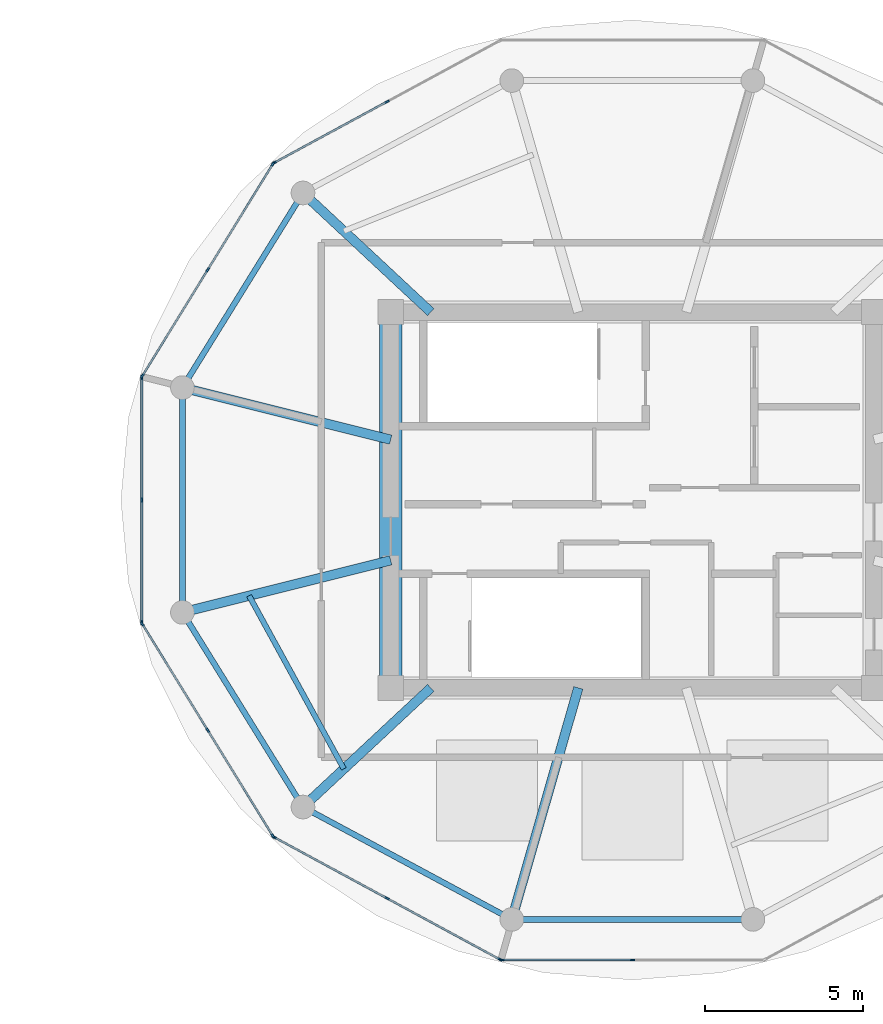
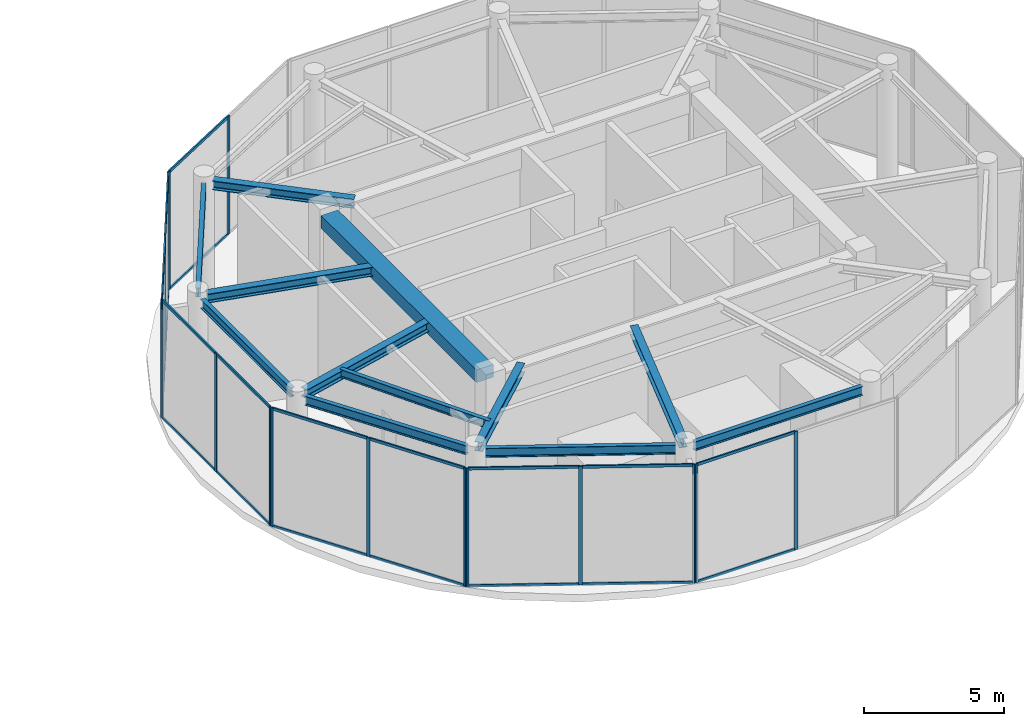
# One storey, part 6 of 15: 36 members, 12 beams, 6 elements without a shape of their own.
"""IFC4 building model written with IfcOpenShell, lengths in metres."""

from ifc_helpers import new_model, si_unit, direction, frame, origin, origin_2d, place, context, subcontext, project, spatial, rectangle, i_section, extrude, source, transform, mapped, material, layer, layer_set, material_profile, profile_set, type_object, type_shapes, element, aggregate, save


model = new_model("IFC4")

# Units and contexts
model_context = context("Model", 3, precision=1e-05, world=origin(), true_north=direction((0.0, 1.0)))
body_context = subcontext(model_context, "Body", "Model", "MODEL_VIEW")
ifc_project = project(units=[si_unit("LENGTHUNIT", "METRE"), si_unit("AREAUNIT", "SQUARE_METRE"), si_unit("VOLUMEUNIT", "CUBIC_METRE"), si_unit("PLANEANGLEUNIT", "RADIAN"), si_unit("MASSUNIT", "GRAM", prefix="KILO")], contexts=[model_context])

# Site, building, storey
site_placement = place(None, origin())
site = spatial("IfcSite", under=ifc_project, at=site_placement, CompositionType="ELEMENT")
building_placement = place(site_placement, origin())
building = spatial("IfcBuilding", under=site, at=building_placement, Name="Norrkilde Senior Care Towers", CompositionType="ELEMENT")
storey_placement = place(building_placement, frame((0.0, 0.0, 244.39990234375)))
storey = spatial("IfcBuildingStorey", under=building, at=storey_placement, Name="L76", CompositionType="ELEMENT", Elevation=244.39990234375)

# Beams
ifc_material_1 = material(Name="Concrete C60/75", Category="concrete")
ifc_material_profile_1 = material_profile(ifc_material_1, rectangle(XDim=0.699951171875, YDim=0.550048828125, at=origin_2d()), Name="RC BM 700x550")
ifc_profile_set_1 = profile_set([ifc_material_profile_1], Name="Concrete C60/75")
beam_type_1 = type_object("IfcBeamType", Name="Core Portal Coupling Beam 700x550", PredefinedType="USERDEFINED", material=ifc_profile_set_1)
shared_shape_1 = source(origin(), body_context, "Body", "SweptSolid", [
    extrude(rectangle(XDim=0.699951171875, YDim=0.550048828125, at=origin_2d()), origin(), (0.0, 0.0, 1.0), 11.14013671875),
])
type_shapes(beam_type_1, [shared_shape_1])
beam_1_placement = place(storey_placement, frame((20.35009765625, -5.570068359375, 4.900146484375), z_axis=(0.0, 1.0, 0.0), x_axis=(-1.0, 0.0, 0.0)))
element("IfcBeam", 1, at=beam_1_placement, inside=storey, type_object=beam_type_1, Name="L76 Core E W Coupling Girder", ObjectType="GIRDER", PredefinedType="USERDEFINED", context=body_context, shape_type="MappedRepresentation", body=[
    mapped(shared_shape_1, transform((0.0, 0.0, 0.0), x_axis=(1.0, 0.0, 0.0), y_axis=(0.0, 1.0, 0.0), z_axis=(0.0, 0.0, 1.0), scale=1.0)),
])
ifc_material_2 = material(Name="Steel S355", Category="steel")
ifc_material_profile_2 = material_profile(ifc_material_2, i_section(OverallWidth=0.179931640625, OverallDepth=0.39990234375, WebThickness=0.008544921875, FlangeThickness=0.013427734375, FilletRadius=0.02099609375, at=origin_2d()), Name="IPE 400")
ifc_profile_set_2 = profile_set([ifc_material_profile_2], Name="Steel S355")
beam_type_2 = type_object("IfcBeamType", Name="Perimeter Ring Spandrel Z4 IPE400", PredefinedType="SPANDREL", material=ifc_profile_set_2)
shared_shape_2 = source(origin(), body_context, "Body", "SweptSolid", [
    extrude(i_section(OverallWidth=0.179931640625, OverallDepth=0.39990234375, WebThickness=0.008544921875, FlangeThickness=0.013427734375, FilletRadius=0.02099609375, at=origin_2d()), origin(), (0.0, 0.0, 1.0), 6.58056640625),
])
for number, where, z_axis, x_axis, name in (
    (2, (17.393798828125, 9.43798828125, 4.97509765625), (-0.526529583789, -0.850156807533, 0.0), (0.850156807533, -0.526529583789, 0.0), "L76 Drum E Perimeter Spandrel 05"),
    (3, (13.928955078125, -3.843505859375, 4.97509765625), (0.526529583789, -0.850156807533, 0.0), (0.850156807533, 0.526529583789, 0.0), "L76 Drum E Perimeter Spandrel 07"),
):
    element("IfcBeam", number, at=place(storey_placement, frame(where, z_axis=z_axis, x_axis=x_axis)), inside=storey, type_object=beam_type_2, Name=name, PredefinedType="SPANDREL", context=body_context, shape_type="MappedRepresentation", body=[
        mapped(shared_shape_2, transform((0.0, 0.0, 0.0), x_axis=(1.0, 0.0, 0.0), y_axis=(0.0, 1.0, 0.0), z_axis=(0.0, 0.0, 1.0), scale=1.0)),
    ])
ifc_material_profile_3 = material_profile(ifc_material_2, i_section(OverallWidth=0.300048828125, OverallDepth=0.39990234375, WebThickness=0.013427734375, FlangeThickness=0.02392578125, FilletRadius=0.027099609375, at=origin_2d()), Name="HEB 400")
ifc_profile_set_3 = profile_set([ifc_material_profile_3], Name="Steel S355")
beam_type_3 = type_object("IfcBeamType", Name="Radial Floor Beam Z4 HEB400", PredefinedType="BEAM", material=ifc_profile_set_3)
shared_shape_3 = source(origin(), body_context, "Body", "SweptSolid", [
    extrude(i_section(OverallWidth=0.300048828125, OverallDepth=0.39990234375, WebThickness=0.013427734375, FlangeThickness=0.02392578125, FilletRadius=0.027099609375, at=origin_2d()), origin(), (0.0, 0.0, 1.0), 6.465087890625),
])
for number, where, z_axis, x_axis, name in (
    (4, (20.35009765625, 1.910888671875, 4.97509765625), (-0.970195788563, 0.242322371758, 0.0), (-0.242322371758, -0.970195788563, 0.0), "L76 Drum E Radial Floor Beam 06"),
    (5, (20.35009765625, -1.910888671875, 4.97509765625), (-0.970195788563, -0.242322371758, 0.0), (0.242322371758, -0.970195788563, 0.0), "L76 Drum E Radial Floor Beam 07"),
):
    element("IfcBeam", number, at=place(storey_placement, frame(where, z_axis=z_axis, x_axis=x_axis)), inside=storey, type_object=beam_type_3, Name=name, PredefinedType="BEAM", context=body_context, shape_type="MappedRepresentation", body=[
        mapped(shared_shape_3, transform((0.0, 0.0, 0.0), x_axis=(1.0, 0.0, 0.0), y_axis=(0.0, 1.0, 0.0), z_axis=(0.0, 0.0, 1.0), scale=1.0)),
    ])
shared_shape_4 = source(origin(), body_context, "Body", "SweptSolid", [
    extrude(i_section(OverallWidth=0.179931640625, OverallDepth=0.39990234375, WebThickness=0.008544921875, FlangeThickness=0.013427734375, FilletRadius=0.02099609375, at=origin_2d()), origin(), (0.0, 0.0, 1.0), 6.839111328125),
])
beam_2_placement = place(storey_placement, frame((17.865234375, -9.881591796875, 4.97509765625), z_axis=(0.880563930732, -0.473927382511, 0.0), x_axis=(0.473927382511, 0.880563930732, 0.0)))
element("IfcBeam", 6, at=beam_2_placement, inside=storey, type_object=beam_type_2, Name="L76 Drum E Perimeter Spandrel 08", PredefinedType="SPANDREL", context=body_context, shape_type="MappedRepresentation", body=[
    mapped(shared_shape_4, transform((0.0, 0.0, 0.0), x_axis=(1.0, 0.0, 0.0), y_axis=(0.0, 1.0, 0.0), z_axis=(0.0, 0.0, 1.0), scale=1.0)),
])
shared_shape_5 = source(origin(), body_context, "Body", "SweptSolid", [
    extrude(i_section(OverallWidth=0.300048828125, OverallDepth=0.39990234375, WebThickness=0.013427734375, FlangeThickness=0.02392578125, FilletRadius=0.027099609375, at=origin_2d()), origin(), (0.0, 0.0, 1.0), 5.197998046875),
])
for number, where, z_axis, x_axis, name in (
    (7, (21.6171875, 5.949951171875, 4.97509765625), (-0.731448749334, 0.681896419625, 0.0), (-0.681896419625, -0.731448749334, 0.0), "L76 Drum E Radial Floor Beam 05"),
    (8, (21.6171875, -5.949951171875, 4.97509765625), (-0.731448749334, -0.681896419625, 0.0), (0.681896419625, -0.731448749334, 0.0), "L76 Drum E Radial Floor Beam 08"),
):
    element("IfcBeam", number, at=place(storey_placement, frame(where, z_axis=z_axis, x_axis=x_axis)), inside=storey, type_object=beam_type_3, Name=name, PredefinedType="BEAM", context=body_context, shape_type="MappedRepresentation", body=[
        mapped(shared_shape_5, transform((0.0, 0.0, 0.0), x_axis=(1.0, 0.0, 0.0), y_axis=(0.0, 1.0, 0.0), z_axis=(0.0, 0.0, 1.0), scale=1.0)),
    ])
shared_shape_6 = source(origin(), body_context, "Body", "SweptSolid", [
    extrude(i_section(OverallWidth=0.179931640625, OverallDepth=0.39990234375, WebThickness=0.008544921875, FlangeThickness=0.013427734375, FilletRadius=0.02099609375, at=origin_2d()), origin(), (0.0, 0.0, 1.0), 6.96533203125),
])
beam_3_placement = place(storey_placement, frame((24.517333984375, -13.281494140625, 4.97509765625), z_axis=(1.0, 0.0, 0.0), x_axis=(0.0, 1.0, 0.0)))
element("IfcBeam", 9, at=beam_3_placement, inside=storey, type_object=beam_type_2, Name="L76 Drum E Perimeter Spandrel 09", PredefinedType="SPANDREL", context=body_context, shape_type="MappedRepresentation", body=[
    mapped(shared_shape_6, transform((0.0, 0.0, 0.0), x_axis=(1.0, 0.0, 0.0), y_axis=(0.0, 1.0, 0.0), z_axis=(0.0, 0.0, 1.0), scale=1.0)),
])
shared_shape_7 = source(origin(), body_context, "Body", "SweptSolid", [
    extrude(i_section(OverallWidth=0.300048828125, OverallDepth=0.39990234375, WebThickness=0.013427734375, FlangeThickness=0.02392578125, FilletRadius=0.027099609375, at=origin_2d()), origin(), (0.0, 0.0, 1.0), 7.29345703125),
])
type_shapes(beam_type_3, [shared_shape_3, shared_shape_5, shared_shape_7])
beam_4_placement = place(storey_placement, frame((26.289794921875, -5.949951171875, 4.97509765625), z_axis=(-0.276263751906, -0.961081858836, 0.0), x_axis=(0.961081858836, -0.276263751906, 0.0)))
element("IfcBeam", 10, at=beam_4_placement, inside=storey, type_object=beam_type_3, Name="L76 Drum E Radial Floor Beam 09", PredefinedType="BEAM", context=body_context, shape_type="MappedRepresentation", body=[
    mapped(shared_shape_7, transform((0.0, 0.0, 0.0), x_axis=(1.0, 0.0, 0.0), y_axis=(0.0, 1.0, 0.0), z_axis=(0.0, 0.0, 1.0), scale=1.0)),
])
shared_shape_8 = source(origin(), body_context, "Body", "SweptSolid", [
    extrude(i_section(OverallWidth=0.179931640625, OverallDepth=0.39990234375, WebThickness=0.008544921875, FlangeThickness=0.013427734375, FilletRadius=0.02099609375, at=origin_2d()), origin(), (0.0, 0.0, 1.0), 6.44775390625),
])
type_shapes(beam_type_2, [shared_shape_2, shared_shape_4, shared_shape_6, shared_shape_8])
beam_5_placement = place(storey_placement, frame((13.752685546875, 3.223876953125, 4.97509765625), z_axis=(0.0, -1.0, 0.0), x_axis=(1.0, 0.0, 0.0)))
element("IfcBeam", 11, at=beam_5_placement, inside=storey, type_object=beam_type_2, Name="L76 Drum E Perimeter Spandrel 06", PredefinedType="SPANDREL", context=body_context, shape_type="MappedRepresentation", body=[
    mapped(shared_shape_8, transform((0.0, 0.0, 0.0), x_axis=(1.0, 0.0, 0.0), y_axis=(0.0, 1.0, 0.0), z_axis=(0.0, 0.0, 1.0), scale=1.0)),
])
ifc_material_profile_4 = material_profile(ifc_material_2, i_section(OverallWidth=0.169921875, OverallDepth=0.360107421875, WebThickness=0.008056640625, FlangeThickness=0.0126953125, FilletRadius=0.01806640625, at=origin_2d()), Name="IPE 360")
ifc_profile_set_4 = profile_set([ifc_material_profile_4], Name="Steel S355")
beam_type_4 = type_object("IfcBeamType", Name="Secondary Floor Joist IPE360", PredefinedType="JOIST", material=ifc_profile_set_4)
shared_shape_9 = source(origin(), body_context, "Body", "SweptSolid", [
    extrude(i_section(OverallWidth=0.169921875, OverallDepth=0.360107421875, WebThickness=0.008056640625, FlangeThickness=0.0126953125, FilletRadius=0.01806640625, at=origin_2d()), origin(), (0.0, 0.0, 1.0), 6.25146484375),
])
type_shapes(beam_type_4, [shared_shape_9])
beam_6_placement = place(storey_placement, frame((15.86376953125, -3.031494140625, 4.9951171875), z_axis=(0.480115752653, -0.877205143655, 0.0), x_axis=(0.877205143655, 0.480115752653, 0.0)))
element("IfcBeam", 12, at=beam_6_placement, inside=storey, type_object=beam_type_4, Name="L76 Drum E Secondary Floor Joist 3", PredefinedType="JOIST", context=body_context, shape_type="MappedRepresentation", body=[
    mapped(shared_shape_9, transform((0.0, 0.0, 0.0), x_axis=(1.0, 0.0, 0.0), y_axis=(0.0, 1.0, 0.0), z_axis=(0.0, 0.0, 1.0), scale=1.0)),
])

# Curtain wall, members
ifc_material_3 = material(Name="Triple Low-E Insulated Glazing", Category="glass")
ifc_layer = layer(ifc_material_3, 0.205078125)
ifc_layer_set = layer_set([ifc_layer], Name="Triple Low-E Insulated Glazing")
curtain_wall_type = type_object("IfcCurtainWallType", Name="CW7 L76 Damper Lantern Clear Curtain Wall", PredefinedType="NOTDEFINED", material=ifc_layer_set)
curtain_wall_1_placement = place(storey_placement, origin())
curtain_wall_1 = element("IfcCurtainWall", 13, at=curtain_wall_1_placement, inside=storey, type_object=curtain_wall_type, Name="L76 Drum E Curtain Wall 03", PredefinedType="NOTDEFINED")
ifc_material_4 = material(Name="Anodised Aluminium", Category="aluminium")
ifc_material_profile_5 = material_profile(ifc_material_4, rectangle(XDim=0.06005859375, YDim=0.139892578125, at=origin_2d()), Name="ALU MULL 60x140")
ifc_profile_set_5 = profile_set([ifc_material_profile_5], Name="Anodised Aluminium")
member_type_1 = type_object("IfcMemberType", Name="Curtain Wall Mullion Lantern 60x140", PredefinedType="MULLION", material=ifc_profile_set_5)
shared_shape_10 = source(origin(), body_context, "Body", "SweptSolid", [
    extrude(rectangle(XDim=0.06005859375, YDim=0.139892578125, at=origin_2d()), origin(), (0.0, 0.0, 1.0), 5.175048828125),
])
type_shapes(member_type_1, [shared_shape_10])
member_1_placement = place(storey_placement, frame((16.656005859375, 10.677490234375, 0.0), z_axis=(0.0, 0.0, 1.0), x_axis=(-0.476132676136, 0.879373455772, 0.0)))
member_1 = element("IfcMember", 14, at=member_1_placement, type_object=member_type_1, Name="CW-7 mullion 1", PredefinedType="MULLION", context=body_context, shape_type="MappedRepresentation", body=[
    mapped(shared_shape_10, transform((0.0, 0.0, 0.0), x_axis=(1.0, 0.0, 0.0), y_axis=(0.0, 1.0, 0.0), z_axis=(0.0, 0.0, 1.0), scale=1.0)),
])
member_2_placement = place(storey_placement, frame((20.23388671875, 12.61474609375, 0.0), z_axis=(0.0, 0.0, 1.0), x_axis=(-0.476132676136, 0.879373455772, 0.0)))
member_2 = element("IfcMember", 15, at=member_2_placement, type_object=member_type_1, Name="CW-7 mullion 2", PredefinedType="MULLION", context=body_context, shape_type="MappedRepresentation", body=[
    mapped(shared_shape_10, transform((0.0, 0.0, 0.0), x_axis=(1.0, 0.0, 0.0), y_axis=(0.0, 1.0, 0.0), z_axis=(0.0, 0.0, 1.0), scale=1.0)),
])

curtain_wall_2_placement = place(storey_placement, origin())
curtain_wall_2 = element("IfcCurtainWall", 16, at=curtain_wall_2_placement, inside=storey, type_object=curtain_wall_type, Name="L76 Drum E Curtain Wall 04", PredefinedType="NOTDEFINED")
member_3_placement = place(storey_placement, frame((12.483642578125, 3.928466796875, 0.0), z_axis=(0.0, 0.0, 1.0), x_axis=(-0.851562727283, 0.524252726748, 0.0)))
member_3 = element("IfcMember", 17, at=member_3_placement, type_object=member_type_1, Name="CW-7 mullion 1", PredefinedType="MULLION", context=body_context, shape_type="MappedRepresentation", body=[
    mapped(shared_shape_10, transform((0.0, 0.0, 0.0), x_axis=(1.0, 0.0, 0.0), y_axis=(0.0, 1.0, 0.0), z_axis=(0.0, 0.0, 1.0), scale=1.0)),
])
member_4_placement = place(storey_placement, frame((14.548828125, 7.282958984375, 0.0), z_axis=(0.0, 0.0, 1.0), x_axis=(-0.851562727283, 0.524252726748, 0.0)))
member_4 = element("IfcMember", 18, at=member_4_placement, type_object=member_type_1, Name="CW-7 mullion 2", PredefinedType="MULLION", context=body_context, shape_type="MappedRepresentation", body=[
    mapped(shared_shape_10, transform((0.0, 0.0, 0.0), x_axis=(1.0, 0.0, 0.0), y_axis=(0.0, 1.0, 0.0), z_axis=(0.0, 0.0, 1.0), scale=1.0)),
])
member_5_placement = place(storey_placement, frame((16.614013671875, 10.6376953125, 0.0), z_axis=(0.0, 0.0, 1.0), x_axis=(-0.851562727283, 0.524252726748, 0.0)))
member_5 = element("IfcMember", 19, at=member_5_placement, type_object=member_type_1, Name="CW-7 mullion 3", PredefinedType="MULLION", context=body_context, shape_type="MappedRepresentation", body=[
    mapped(shared_shape_10, transform((0.0, 0.0, 0.0), x_axis=(1.0, 0.0, 0.0), y_axis=(0.0, 1.0, 0.0), z_axis=(0.0, 0.0, 1.0), scale=1.0)),
])

curtain_wall_3_placement = place(storey_placement, origin())
curtain_wall_3 = element("IfcCurtainWall", 20, at=curtain_wall_3_placement, inside=storey, type_object=curtain_wall_type, Name="L76 Drum E Curtain Wall 05", PredefinedType="NOTDEFINED")
member_6_placement = place(storey_placement, frame((12.468017578125, -3.873046875, 0.0), z_axis=(0.0, 0.0, 1.0), x_axis=(-1.0, 0.0, 0.0)))
member_6 = element("IfcMember", 21, at=member_6_placement, type_object=member_type_1, Name="CW-7 mullion 1", PredefinedType="MULLION", context=body_context, shape_type="MappedRepresentation", body=[
    mapped(shared_shape_10, transform((0.0, 0.0, 0.0), x_axis=(1.0, 0.0, 0.0), y_axis=(0.0, 1.0, 0.0), z_axis=(0.0, 0.0, 1.0), scale=1.0)),
])
member_7_placement = place(storey_placement, frame((12.468017578125, 0.0, 0.0), z_axis=(0.0, 0.0, 1.0), x_axis=(-1.0, 0.0, 0.0)))
member_7 = element("IfcMember", 22, at=member_7_placement, type_object=member_type_1, Name="CW-7 mullion 2", PredefinedType="MULLION", context=body_context, shape_type="MappedRepresentation", body=[
    mapped(shared_shape_10, transform((0.0, 0.0, 0.0), x_axis=(1.0, 0.0, 0.0), y_axis=(0.0, 1.0, 0.0), z_axis=(0.0, 0.0, 1.0), scale=1.0)),
])
member_8_placement = place(storey_placement, frame((12.468017578125, 3.873046875, 0.0), z_axis=(0.0, 0.0, 1.0), x_axis=(-1.0, 0.0, 0.0)))
member_8 = element("IfcMember", 23, at=member_8_placement, type_object=member_type_1, Name="CW-7 mullion 3", PredefinedType="MULLION", context=body_context, shape_type="MappedRepresentation", body=[
    mapped(shared_shape_10, transform((0.0, 0.0, 0.0), x_axis=(1.0, 0.0, 0.0), y_axis=(0.0, 1.0, 0.0), z_axis=(0.0, 0.0, 1.0), scale=1.0)),
])

curtain_wall_4_placement = place(storey_placement, origin())
curtain_wall_4 = element("IfcCurtainWall", 24, at=curtain_wall_4_placement, inside=storey, type_object=curtain_wall_type, Name="L76 Drum E Curtain Wall 06", PredefinedType="NOTDEFINED")
member_9_placement = place(storey_placement, frame((16.614013671875, -10.6376953125, 0.0), z_axis=(0.0, 0.0, 1.0), x_axis=(-0.851562727283, -0.524252726748, 0.0)))
member_9 = element("IfcMember", 25, at=member_9_placement, type_object=member_type_1, Name="CW-7 mullion 1", PredefinedType="MULLION", context=body_context, shape_type="MappedRepresentation", body=[
    mapped(shared_shape_10, transform((0.0, 0.0, 0.0), x_axis=(1.0, 0.0, 0.0), y_axis=(0.0, 1.0, 0.0), z_axis=(0.0, 0.0, 1.0), scale=1.0)),
])
member_10_placement = place(storey_placement, frame((14.548828125, -7.282958984375, 0.0), z_axis=(0.0, 0.0, 1.0), x_axis=(-0.851562727283, -0.524252726748, 0.0)))
member_10 = element("IfcMember", 26, at=member_10_placement, type_object=member_type_1, Name="CW-7 mullion 2", PredefinedType="MULLION", context=body_context, shape_type="MappedRepresentation", body=[
    mapped(shared_shape_10, transform((0.0, 0.0, 0.0), x_axis=(1.0, 0.0, 0.0), y_axis=(0.0, 1.0, 0.0), z_axis=(0.0, 0.0, 1.0), scale=1.0)),
])
member_11_placement = place(storey_placement, frame((12.483642578125, -3.928466796875, 0.0), z_axis=(0.0, 0.0, 1.0), x_axis=(-0.851562727283, -0.524252726748, 0.0)))
member_11 = element("IfcMember", 27, at=member_11_placement, type_object=member_type_1, Name="CW-7 mullion 3", PredefinedType="MULLION", context=body_context, shape_type="MappedRepresentation", body=[
    mapped(shared_shape_10, transform((0.0, 0.0, 0.0), x_axis=(1.0, 0.0, 0.0), y_axis=(0.0, 1.0, 0.0), z_axis=(0.0, 0.0, 1.0), scale=1.0)),
])

curtain_wall_5_placement = place(storey_placement, origin())
curtain_wall_5 = element("IfcCurtainWall", 28, at=curtain_wall_5_placement, inside=storey, type_object=curtain_wall_type, Name="L76 Drum E Curtain Wall 07", PredefinedType="NOTDEFINED")
member_12_placement = place(storey_placement, frame((23.811767578125, -14.5517578125, 0.0), z_axis=(0.0, 0.0, 1.0), x_axis=(-0.476132676136, -0.879373455772, 0.0)))
member_12 = element("IfcMember", 29, at=member_12_placement, type_object=member_type_1, Name="CW-7 mullion 1", PredefinedType="MULLION", context=body_context, shape_type="MappedRepresentation", body=[
    mapped(shared_shape_10, transform((0.0, 0.0, 0.0), x_axis=(1.0, 0.0, 0.0), y_axis=(0.0, 1.0, 0.0), z_axis=(0.0, 0.0, 1.0), scale=1.0)),
])
member_13_placement = place(storey_placement, frame((20.23388671875, -12.61474609375, 0.0), z_axis=(0.0, 0.0, 1.0), x_axis=(-0.476132676136, -0.879373455772, 0.0)))
member_13 = element("IfcMember", 30, at=member_13_placement, type_object=member_type_1, Name="CW-7 mullion 2", PredefinedType="MULLION", context=body_context, shape_type="MappedRepresentation", body=[
    mapped(shared_shape_10, transform((0.0, 0.0, 0.0), x_axis=(1.0, 0.0, 0.0), y_axis=(0.0, 1.0, 0.0), z_axis=(0.0, 0.0, 1.0), scale=1.0)),
])
member_14_placement = place(storey_placement, frame((16.656005859375, -10.677490234375, 0.0), z_axis=(0.0, 0.0, 1.0), x_axis=(-0.476132676136, -0.879373455772, 0.0)))
member_14 = element("IfcMember", 31, at=member_14_placement, type_object=member_type_1, Name="CW-7 mullion 3", PredefinedType="MULLION", context=body_context, shape_type="MappedRepresentation", body=[
    mapped(shared_shape_10, transform((0.0, 0.0, 0.0), x_axis=(1.0, 0.0, 0.0), y_axis=(0.0, 1.0, 0.0), z_axis=(0.0, 0.0, 1.0), scale=1.0)),
])

curtain_wall_6_placement = place(storey_placement, origin())
curtain_wall_6 = element("IfcCurtainWall", 32, at=curtain_wall_6_placement, inside=storey, type_object=curtain_wall_type, Name="L76 Drum E Curtain Wall 08", PredefinedType="NOTDEFINED")
member_15_placement = place(storey_placement, frame((28.0, -14.566162109375, 0.0), z_axis=(0.0, 0.0, 1.0), x_axis=(0.0, -1.0, 0.0)))
member_15 = element("IfcMember", 33, at=member_15_placement, type_object=member_type_1, Name="CW-7 mullion 2", PredefinedType="MULLION", context=body_context, shape_type="MappedRepresentation", body=[
    mapped(shared_shape_10, transform((0.0, 0.0, 0.0), x_axis=(1.0, 0.0, 0.0), y_axis=(0.0, 1.0, 0.0), z_axis=(0.0, 0.0, 1.0), scale=1.0)),
])
member_16_placement = place(storey_placement, frame((23.8681640625, -14.566162109375, 0.0), z_axis=(0.0, 0.0, 1.0), x_axis=(0.0, -1.0, 0.0)))
member_16 = element("IfcMember", 34, at=member_16_placement, type_object=member_type_1, Name="CW-7 mullion 3", PredefinedType="MULLION", context=body_context, shape_type="MappedRepresentation", body=[
    mapped(shared_shape_10, transform((0.0, 0.0, 0.0), x_axis=(1.0, 0.0, 0.0), y_axis=(0.0, 1.0, 0.0), z_axis=(0.0, 0.0, 1.0), scale=1.0)),
])

# Member
ifc_material_profile_6 = material_profile(ifc_material_4, rectangle(XDim=0.06005859375, YDim=0.1201171875, at=origin_2d()), Name="ALU TRAN 60x120")
ifc_profile_set_6 = profile_set([ifc_material_profile_6], Name="Anodised Aluminium")
member_type_2 = type_object("IfcMemberType", Name="Curtain Wall Transom Typical 60x120", PredefinedType="USERDEFINED", material=ifc_profile_set_6)
shared_shape_11 = source(origin(), body_context, "Body", "SweptSolid", [
    extrude(rectangle(XDim=0.06005859375, YDim=0.1201171875, at=origin_2d()), origin(), (0.0, 0.0, 1.0), 3.87939453125),
])
member_17_placement = place(storey_placement, frame((12.499267578125, 3.9541015625, 0.030029296875), z_axis=(0.524290531189, 0.851539452348, 0.0), x_axis=(-0.851539452348, 0.524290531189, 0.0)))
member_17 = element("IfcMember", 35, at=member_17_placement, type_object=member_type_2, Name="CW-7 transom 1.1", ObjectType="TRANSOM", PredefinedType="USERDEFINED", context=body_context, shape_type="MappedRepresentation", body=[
    mapped(shared_shape_11, transform((0.0, 0.0, 0.0), x_axis=(1.0, 0.0, 0.0), y_axis=(0.0, 1.0, 0.0), z_axis=(0.0, 0.0, 1.0), scale=1.0)),
])

member_18_placement = place(storey_placement, frame((12.499267578125, 3.9541015625, 5.14501953125), z_axis=(0.524290531189, 0.851539452348, 0.0), x_axis=(-0.851539452348, 0.524290531189, 0.0)))
member_18 = element("IfcMember", 36, at=member_18_placement, type_object=member_type_2, Name="CW-7 transom 1.2", ObjectType="TRANSOM", PredefinedType="USERDEFINED", context=body_context, shape_type="MappedRepresentation", body=[
    mapped(shared_shape_11, transform((0.0, 0.0, 0.0), x_axis=(1.0, 0.0, 0.0), y_axis=(0.0, 1.0, 0.0), z_axis=(0.0, 0.0, 1.0), scale=1.0)),
])

member_19_placement = place(storey_placement, frame((14.564453125, 7.30859375, 0.030029296875), z_axis=(0.524290531189, 0.851539452348, 0.0), x_axis=(-0.851539452348, 0.524290531189, 0.0)))
member_19 = element("IfcMember", 37, at=member_19_placement, type_object=member_type_2, Name="CW-7 transom 2.1", ObjectType="TRANSOM", PredefinedType="USERDEFINED", context=body_context, shape_type="MappedRepresentation", body=[
    mapped(shared_shape_11, transform((0.0, 0.0, 0.0), x_axis=(1.0, 0.0, 0.0), y_axis=(0.0, 1.0, 0.0), z_axis=(0.0, 0.0, 1.0), scale=1.0)),
])

member_20_placement = place(storey_placement, frame((14.564453125, 7.30859375, 5.14501953125), z_axis=(0.524290531189, 0.851539452348, 0.0), x_axis=(-0.851539452348, 0.524290531189, 0.0)))
member_20 = element("IfcMember", 38, at=member_20_placement, type_object=member_type_2, Name="CW-7 transom 2.2", ObjectType="TRANSOM", PredefinedType="USERDEFINED", context=body_context, shape_type="MappedRepresentation", body=[
    mapped(shared_shape_11, transform((0.0, 0.0, 0.0), x_axis=(1.0, 0.0, 0.0), y_axis=(0.0, 1.0, 0.0), z_axis=(0.0, 0.0, 1.0), scale=1.0)),
])

aggregate(curtain_wall_2, [member_3, member_4, member_5, member_17, member_18, member_19, member_20])

member_21_placement = place(storey_placement, frame((16.598388671875, -10.612060546875, 0.030029296875), z_axis=(-0.524290531189, 0.851539452348, 0.0), x_axis=(-0.851539452348, -0.524290531189, 0.0)))
member_21 = element("IfcMember", 39, at=member_21_placement, type_object=member_type_2, Name="CW-7 transom 1.1", ObjectType="TRANSOM", PredefinedType="USERDEFINED", context=body_context, shape_type="MappedRepresentation", body=[
    mapped(shared_shape_11, transform((0.0, 0.0, 0.0), x_axis=(1.0, 0.0, 0.0), y_axis=(0.0, 1.0, 0.0), z_axis=(0.0, 0.0, 1.0), scale=1.0)),
])

member_22_placement = place(storey_placement, frame((16.598388671875, -10.612060546875, 5.14501953125), z_axis=(-0.524290531189, 0.851539452348, 0.0), x_axis=(-0.851539452348, -0.524290531189, 0.0)))
member_22 = element("IfcMember", 40, at=member_22_placement, type_object=member_type_2, Name="CW-7 transom 1.2", ObjectType="TRANSOM", PredefinedType="USERDEFINED", context=body_context, shape_type="MappedRepresentation", body=[
    mapped(shared_shape_11, transform((0.0, 0.0, 0.0), x_axis=(1.0, 0.0, 0.0), y_axis=(0.0, 1.0, 0.0), z_axis=(0.0, 0.0, 1.0), scale=1.0)),
])

member_23_placement = place(storey_placement, frame((14.533203125, -7.257568359375, 0.030029296875), z_axis=(-0.524290531189, 0.851539452348, 0.0), x_axis=(-0.851539452348, -0.524290531189, 0.0)))
member_23 = element("IfcMember", 41, at=member_23_placement, type_object=member_type_2, Name="CW-7 transom 2.1", ObjectType="TRANSOM", PredefinedType="USERDEFINED", context=body_context, shape_type="MappedRepresentation", body=[
    mapped(shared_shape_11, transform((0.0, 0.0, 0.0), x_axis=(1.0, 0.0, 0.0), y_axis=(0.0, 1.0, 0.0), z_axis=(0.0, 0.0, 1.0), scale=1.0)),
])

member_24_placement = place(storey_placement, frame((14.533203125, -7.257568359375, 5.14501953125), z_axis=(-0.524290531189, 0.851539452348, 0.0), x_axis=(-0.851539452348, -0.524290531189, 0.0)))
member_24 = element("IfcMember", 42, at=member_24_placement, type_object=member_type_2, Name="CW-7 transom 2.2", ObjectType="TRANSOM", PredefinedType="USERDEFINED", context=body_context, shape_type="MappedRepresentation", body=[
    mapped(shared_shape_11, transform((0.0, 0.0, 0.0), x_axis=(1.0, 0.0, 0.0), y_axis=(0.0, 1.0, 0.0), z_axis=(0.0, 0.0, 1.0), scale=1.0)),
])

aggregate(curtain_wall_4, [member_9, member_10, member_11, member_21, member_22, member_23, member_24])

shared_shape_12 = source(origin(), body_context, "Body", "SweptSolid", [
    extrude(rectangle(XDim=0.06005859375, YDim=0.1201171875, at=origin_2d()), origin(), (0.0, 0.0, 1.0), 4.0087890625),
])
member_25_placement = place(storey_placement, frame((16.682373046875, 10.691650390625, 0.030029296875), z_axis=(0.87937165888, 0.476135994815, 0.0), x_axis=(-0.476135994815, 0.87937165888, 0.0)))
member_25 = element("IfcMember", 43, at=member_25_placement, type_object=member_type_2, Name="CW-7 transom 1.1", ObjectType="TRANSOM", PredefinedType="USERDEFINED", context=body_context, shape_type="MappedRepresentation", body=[
    mapped(shared_shape_12, transform((0.0, 0.0, 0.0), x_axis=(1.0, 0.0, 0.0), y_axis=(0.0, 1.0, 0.0), z_axis=(0.0, 0.0, 1.0), scale=1.0)),
])

member_26_placement = place(storey_placement, frame((16.682373046875, 10.691650390625, 5.14501953125), z_axis=(0.87937165888, 0.476135994815, 0.0), x_axis=(-0.476135994815, 0.87937165888, 0.0)))
member_26 = element("IfcMember", 44, at=member_26_placement, type_object=member_type_2, Name="CW-7 transom 1.2", ObjectType="TRANSOM", PredefinedType="USERDEFINED", context=body_context, shape_type="MappedRepresentation", body=[
    mapped(shared_shape_12, transform((0.0, 0.0, 0.0), x_axis=(1.0, 0.0, 0.0), y_axis=(0.0, 1.0, 0.0), z_axis=(0.0, 0.0, 1.0), scale=1.0)),
])

aggregate(curtain_wall_1, [member_1, member_2, member_25, member_26])

member_27_placement = place(storey_placement, frame((23.785400390625, -14.53759765625, 0.030029296875), z_axis=(-0.87937165888, 0.476135994815, 0.0), x_axis=(-0.476135994815, -0.87937165888, 0.0)))
member_27 = element("IfcMember", 45, at=member_27_placement, type_object=member_type_2, Name="CW-7 transom 1.1", ObjectType="TRANSOM", PredefinedType="USERDEFINED", context=body_context, shape_type="MappedRepresentation", body=[
    mapped(shared_shape_12, transform((0.0, 0.0, 0.0), x_axis=(1.0, 0.0, 0.0), y_axis=(0.0, 1.0, 0.0), z_axis=(0.0, 0.0, 1.0), scale=1.0)),
])

member_28_placement = place(storey_placement, frame((23.785400390625, -14.53759765625, 5.14501953125), z_axis=(-0.87937165888, 0.476135994815, 0.0), x_axis=(-0.476135994815, -0.87937165888, 0.0)))
member_28 = element("IfcMember", 46, at=member_28_placement, type_object=member_type_2, Name="CW-7 transom 1.2", ObjectType="TRANSOM", PredefinedType="USERDEFINED", context=body_context, shape_type="MappedRepresentation", body=[
    mapped(shared_shape_12, transform((0.0, 0.0, 0.0), x_axis=(1.0, 0.0, 0.0), y_axis=(0.0, 1.0, 0.0), z_axis=(0.0, 0.0, 1.0), scale=1.0)),
])

member_29_placement = place(storey_placement, frame((20.20751953125, -12.600341796875, 0.030029296875), z_axis=(-0.87937165888, 0.476135994815, 0.0), x_axis=(-0.476135994815, -0.87937165888, 0.0)))
member_29 = element("IfcMember", 47, at=member_29_placement, type_object=member_type_2, Name="CW-7 transom 2.1", ObjectType="TRANSOM", PredefinedType="USERDEFINED", context=body_context, shape_type="MappedRepresentation", body=[
    mapped(shared_shape_12, transform((0.0, 0.0, 0.0), x_axis=(1.0, 0.0, 0.0), y_axis=(0.0, 1.0, 0.0), z_axis=(0.0, 0.0, 1.0), scale=1.0)),
])

member_30_placement = place(storey_placement, frame((20.20751953125, -12.600341796875, 5.14501953125), z_axis=(-0.87937165888, 0.476135994815, 0.0), x_axis=(-0.476135994815, -0.87937165888, 0.0)))
member_30 = element("IfcMember", 48, at=member_30_placement, type_object=member_type_2, Name="CW-7 transom 2.2", ObjectType="TRANSOM", PredefinedType="USERDEFINED", context=body_context, shape_type="MappedRepresentation", body=[
    mapped(shared_shape_12, transform((0.0, 0.0, 0.0), x_axis=(1.0, 0.0, 0.0), y_axis=(0.0, 1.0, 0.0), z_axis=(0.0, 0.0, 1.0), scale=1.0)),
])

aggregate(curtain_wall_5, [member_12, member_13, member_14, member_27, member_28, member_29, member_30])

shared_shape_13 = source(origin(), body_context, "Body", "SweptSolid", [
    extrude(rectangle(XDim=0.06005859375, YDim=0.1201171875, at=origin_2d()), origin(), (0.0, 0.0, 1.0), 4.07177734375),
])
member_31_placement = place(storey_placement, frame((27.969970703125, -14.566162109375, 0.030029296875), z_axis=(-1.0, 0.0, 0.0), x_axis=(0.0, -1.0, 0.0)))
member_31 = element("IfcMember", 49, at=member_31_placement, type_object=member_type_2, Name="CW-7 transom 2.1", ObjectType="TRANSOM", PredefinedType="USERDEFINED", context=body_context, shape_type="MappedRepresentation", body=[
    mapped(shared_shape_13, transform((0.0, 0.0, 0.0), x_axis=(1.0, 0.0, 0.0), y_axis=(0.0, 1.0, 0.0), z_axis=(0.0, 0.0, 1.0), scale=1.0)),
])

member_32_placement = place(storey_placement, frame((27.969970703125, -14.566162109375, 5.14501953125), z_axis=(-1.0, 0.0, 0.0), x_axis=(0.0, -1.0, 0.0)))
member_32 = element("IfcMember", 50, at=member_32_placement, type_object=member_type_2, Name="CW-7 transom 2.2", ObjectType="TRANSOM", PredefinedType="USERDEFINED", context=body_context, shape_type="MappedRepresentation", body=[
    mapped(shared_shape_13, transform((0.0, 0.0, 0.0), x_axis=(1.0, 0.0, 0.0), y_axis=(0.0, 1.0, 0.0), z_axis=(0.0, 0.0, 1.0), scale=1.0)),
])

aggregate(curtain_wall_6, [member_15, member_16, member_31, member_32])

shared_shape_14 = source(origin(), body_context, "Body", "SweptSolid", [
    extrude(rectangle(XDim=0.06005859375, YDim=0.1201171875, at=origin_2d()), origin(), (0.0, 0.0, 1.0), 3.81298828125),
])
type_shapes(member_type_2, [shared_shape_11, shared_shape_12, shared_shape_13, shared_shape_14])
member_33_placement = place(storey_placement, frame((12.468017578125, -3.843017578125, 0.030029296875), z_axis=(0.0, 1.0, 0.0), x_axis=(-1.0, 0.0, 0.0)))
member_33 = element("IfcMember", 51, at=member_33_placement, type_object=member_type_2, Name="CW-7 transom 1.1", ObjectType="TRANSOM", PredefinedType="USERDEFINED", context=body_context, shape_type="MappedRepresentation", body=[
    mapped(shared_shape_14, transform((0.0, 0.0, 0.0), x_axis=(1.0, 0.0, 0.0), y_axis=(0.0, 1.0, 0.0), z_axis=(0.0, 0.0, 1.0), scale=1.0)),
])

member_34_placement = place(storey_placement, frame((12.468017578125, -3.843017578125, 5.14501953125), z_axis=(0.0, 1.0, 0.0), x_axis=(-1.0, 0.0, 0.0)))
member_34 = element("IfcMember", 52, at=member_34_placement, type_object=member_type_2, Name="CW-7 transom 1.2", ObjectType="TRANSOM", PredefinedType="USERDEFINED", context=body_context, shape_type="MappedRepresentation", body=[
    mapped(shared_shape_14, transform((0.0, 0.0, 0.0), x_axis=(1.0, 0.0, 0.0), y_axis=(0.0, 1.0, 0.0), z_axis=(0.0, 0.0, 1.0), scale=1.0)),
])

member_35_placement = place(storey_placement, frame((12.468017578125, 0.030029296875, 0.030029296875), z_axis=(0.0, 1.0, 0.0), x_axis=(-1.0, 0.0, 0.0)))
member_35 = element("IfcMember", 53, at=member_35_placement, type_object=member_type_2, Name="CW-7 transom 2.1", ObjectType="TRANSOM", PredefinedType="USERDEFINED", context=body_context, shape_type="MappedRepresentation", body=[
    mapped(shared_shape_14, transform((0.0, 0.0, 0.0), x_axis=(1.0, 0.0, 0.0), y_axis=(0.0, 1.0, 0.0), z_axis=(0.0, 0.0, 1.0), scale=1.0)),
])

member_36_placement = place(storey_placement, frame((12.468017578125, 0.030029296875, 5.14501953125), z_axis=(0.0, 1.0, 0.0), x_axis=(-1.0, 0.0, 0.0)))
member_36 = element("IfcMember", 54, at=member_36_placement, type_object=member_type_2, Name="CW-7 transom 2.2", ObjectType="TRANSOM", PredefinedType="USERDEFINED", context=body_context, shape_type="MappedRepresentation", body=[
    mapped(shared_shape_14, transform((0.0, 0.0, 0.0), x_axis=(1.0, 0.0, 0.0), y_axis=(0.0, 1.0, 0.0), z_axis=(0.0, 0.0, 1.0), scale=1.0)),
])

aggregate(curtain_wall_3, [member_6, member_7, member_8, member_33, member_34, member_35, member_36])

save(model, "model.ifc")
